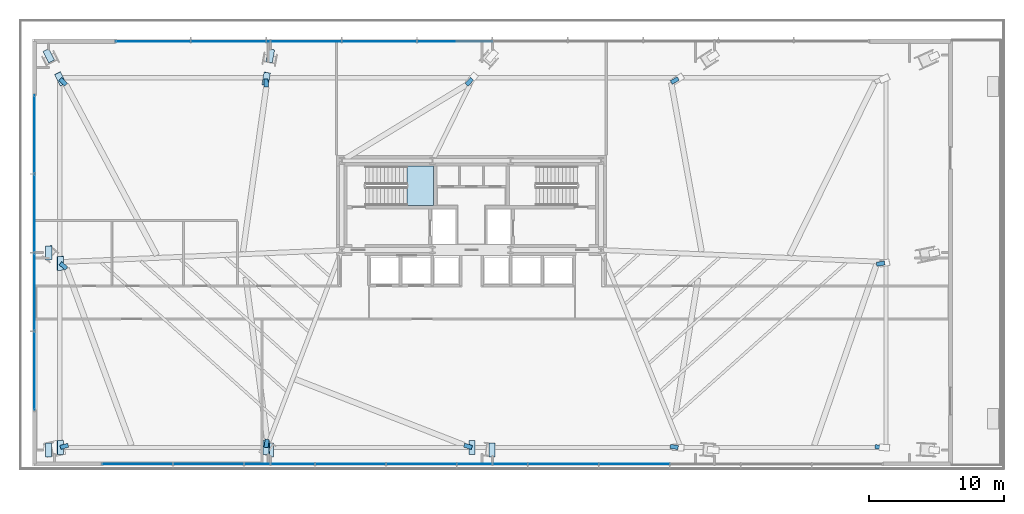
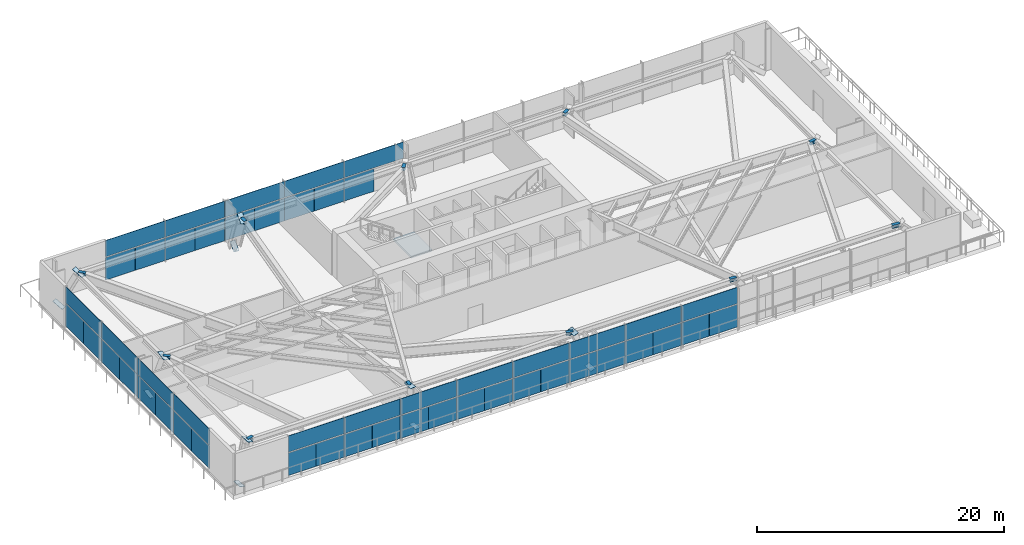
# One storey, part 20 of 30: 62 plates, 11 beams, 1 slab, 4 elements without a shape of their own.
"""IFC4 building model written with IfcOpenShell, lengths in metres."""

from ifc_helpers import new_model, si_unit, direction, frame, origin, origin_2d, place, context, subcontext, project, spatial, polyline, rectangle, i_section, outline, extrude, source, transform, mapped, material, layer, layer_set, material_profile, profile_set, type_object, type_shapes, element, aggregate, save


model = new_model("IFC4")

# Units and contexts
model_context = context("Model", 3, precision=1e-05, world=origin(), true_north=direction((0.0, 1.0)))
body_context = subcontext(model_context, "Body", "Model", "MODEL_VIEW")
ifc_project = project(units=[si_unit("LENGTHUNIT", "METRE"), si_unit("AREAUNIT", "SQUARE_METRE"), si_unit("VOLUMEUNIT", "CUBIC_METRE"), si_unit("PLANEANGLEUNIT", "RADIAN"), si_unit("MASSUNIT", "GRAM", prefix="KILO")], contexts=[model_context])

# Site, building, storey
site_placement = place(None, origin())
site = spatial("IfcSite", under=ifc_project, at=site_placement, CompositionType="ELEMENT")
building_placement = place(site_placement, origin())
building = spatial("IfcBuilding", under=site, at=building_placement, Name="Astriad Promenade Condominiums", CompositionType="ELEMENT")
storey_placement = place(building_placement, frame((0.0, 0.0, 14.0)))
storey = spatial("IfcBuildingStorey", under=building, at=storey_placement, Name="L03", CompositionType="ELEMENT", Elevation=14.0)

# Beams
ifc_material_1 = material(Name="Steel ASTM A992 Grade 50", Category="steel")
ifc_material_profile = material_profile(ifc_material_1, i_section(OverallWidth=0.3046875, OverallDepth=0.307861328125, WebThickness=0.010009765625, FlangeThickness=0.015380859375, FilletRadius=0.01513671875, at=origin_2d()), Name="W12X65")
ifc_profile_set = profile_set([ifc_material_profile], Name="Steel ASTM A992 Grade 50")
beam_type = type_object("IfcBeamType", Name="STEEL TRANSFER SPLICE HEADER W12X65", PredefinedType="LINTEL", material=ifc_profile_set)
shared_shape_1 = source(origin(), body_context, "Body", "SweptSolid", [
    extrude(i_section(OverallWidth=0.3046875, OverallDepth=0.307861328125, WebThickness=0.010009765625, FlangeThickness=0.015380859375, FilletRadius=0.01513671875, at=origin_2d()), origin(), (0.0, 0.0, 1.0), 0.6015625),
])
for number, where, z_axis, x_axis, name in (
    (1, (5.566650390625, 2.777099609375, 3.926025390625), (0.962210058488, 0.272308287324, 0.0), (-0.272308287324, 0.962210058488, 0.0), "Column Transfer Splice Header SPL-PC01-L03"),
    (2, (20.79248046875, 2.7783203125, 3.926025390625), (0.13431639746, 0.990938497271, 0.0), (-0.990938497271, 0.13431639746, 0.0), "Column Transfer Splice Header SPL-PC02-L03"),
    (3, (51.302001953125, 2.7734375, 3.926025390625), (-0.989860010098, 0.142046331912, 0.0), (-0.142046331912, -0.989860010098, 0.0), "Column Transfer Splice Header SPL-PC04-L03"),
    (4, (5.555908203125, 30.068115234375, 3.926025390625), (0.6898578035, -0.723944894968, 0.0), (0.723944894968, 0.6898578035, 0.0), "Column Transfer Splice Header SPL-PC06-L03"),
    (5, (20.798095703125, 30.064697265625, 3.926025390625), (0.020702017947, -0.999785690262, 0.0), (0.999785690262, 0.020702017947, 0.0), "Column Transfer Splice Header SPL-PC07-L03"),
    (6, (36.04638671875, 30.07373046875, 3.926025390625), (-0.66921133095, -0.743072132789, 0.0), (0.743072132789, -0.66921133095, 0.0), "Column Transfer Splice Header SPL-PC08-L03"),
    (7, (51.311767578125, 30.0859375, 3.926025390625), (-0.875855761384, -0.482572984377, 0.0), (0.482572984377, -0.875855761384, 0.0), "Column Transfer Splice Header SPL-PC09-L03"),
    (8, (5.563720703125, 16.41455078125, 3.926025390625), (0.761829148825, -0.647778008271, 0.0), (0.647778008271, 0.761829148825, 0.0), "Column Transfer Splice Header SPL-PC11-L03"),
    (9, (66.583251953125, 16.4326171875, 3.926025390625), (-0.986393923832, -0.164398987305, 0.0), (0.164398987305, -0.986393923832, 0.0), "Column Transfer Splice Header SPL-PC12-L03"),
):
    element("IfcBeam", number, at=place(storey_placement, frame(where, z_axis=z_axis, x_axis=x_axis)), inside=storey, type_object=beam_type, Name=name, PredefinedType="LINTEL", context=body_context, shape_type="MappedRepresentation", body=[
        mapped(shared_shape_1, transform((0.0, 0.0, 0.0), scale=1.0)),
    ])
shared_shape_2 = source(origin(), body_context, "Body", "SweptSolid", [
    extrude(i_section(OverallWidth=0.3046875, OverallDepth=0.307861328125, WebThickness=0.010009765625, FlangeThickness=0.015380859375, FilletRadius=0.01513671875, at=origin_2d()), origin(), (0.0, 0.0, 1.0), 0.601318359375),
])
beam_1_placement = place(storey_placement, frame((36.0341796875, 2.775634765625, 3.926025390625), z_axis=(-0.958892256456, 0.283770401043, 0.0), x_axis=(-0.283770401043, -0.958892256456, 0.0)))
element("IfcBeam", 10, at=beam_1_placement, inside=storey, type_object=beam_type, Name="Column Transfer Splice Header SPL-PC03-L03", PredefinedType="LINTEL", context=body_context, shape_type="MappedRepresentation", body=[
    mapped(shared_shape_2, transform((0.0, 0.0, 0.0), scale=1.0)),
])
shared_shape_3 = source(origin(), body_context, "Body", "SweptSolid", [
    extrude(i_section(OverallWidth=0.3046875, OverallDepth=0.307861328125, WebThickness=0.010009765625, FlangeThickness=0.015380859375, FilletRadius=0.01513671875, at=origin_2d()), origin(), (0.0, 0.0, 1.0), 0.704345703125),
])
type_shapes(beam_type, [shared_shape_1, shared_shape_2, shared_shape_3])
beam_2_placement = place(storey_placement, frame((66.58203125, 2.77197265625, 3.926025390625), z_axis=(-0.995610030472, 0.093598436012, 0.0), x_axis=(-0.093598436012, -0.995610030472, 0.0)))
element("IfcBeam", 11, at=beam_2_placement, inside=storey, type_object=beam_type, Name="Column Transfer Splice Header SPL-PC05-L03", PredefinedType="LINTEL", context=body_context, shape_type="MappedRepresentation", body=[
    mapped(shared_shape_3, transform((0.0, 0.0, 0.0), scale=1.0)),
])

# Stair, slab
ifc_material_2 = material(Name="Concrete C50/60", Category="concrete")
stair_type = type_object("IfcStairType", Name="STR-CORE-1350", PredefinedType="HALF_TURN_STAIR", material=ifc_material_2)
stair_placement = place(storey_placement, origin())
stair = element("IfcStair", 12, at=stair_placement, inside=storey, type_object=stair_type, Name="L03 Enclosed Core Exit Stair ST-1", PredefinedType="HALF_TURN_STAIR")
ifc_layer_1 = layer(ifc_material_2, 0.219970703125)
ifc_layer_set_1 = layer_set([ifc_layer_1], Name="Concrete C50/60")
slab_type = type_object("IfcSlabType", Name="SLB-LANDING-220", PredefinedType="LANDING", material=ifc_layer_set_1)
slab_placement = place(storey_placement, frame((0.0, 0.0, 2.050048828125)))
slab = element("IfcSlab", 13, at=slab_placement, type_object=slab_type, Name="ST-1 landing 1", PredefinedType="LANDING", context=body_context, shape_type="SweptSolid", body=[
    extrude(outline(polyline([(31.22998046875, 20.699951171875), (33.199951171875, 20.699951171875), (33.199951171875, 23.60009765625), (31.22998046875, 23.60009765625), (31.22998046875, 20.699951171875)])), origin(), (0.0, 0.0, 1.0), 0.199951171875),
])
aggregate(stair, [slab])

# Plates
ifc_material_3 = material(Name="Steel ASTM A572 Grade 50", Category="steel")
ifc_layer_2 = layer(ifc_material_3, 0.02490234375)
ifc_layer_set_2 = layer_set([ifc_layer_2], Name="Steel ASTM A572 Grade 50")
plate_type_1 = type_object("IfcPlateType", Name="STEEL HOLLOW SECTION END CAP PLATE 30", PredefinedType="USERDEFINED", material=ifc_layer_set_2)
shared_shape_4 = source(origin(), body_context, "Body", "SweptSolid", [
    extrude(rectangle(XDim=0.477294921875, YDim=1.05126953125, at=origin_2d()), origin(), (0.0, 0.0, 1.0), 0.02490234375),
])
type_shapes(plate_type_1, [shared_shape_4])
for number, where, z_axis, x_axis, name in (
    (14, (4.68798828125, 2.58203125, 0.035888671875), (0.215153855979, 0.047790070995, 0.975410132904), (1.0, 0.0, 0.0), "Hollow Section End Cap Plate COL-PC01-L03-A"),
    (15, (5.566650390625, 2.777099609375, 4.019775390625), (0.215153855979, 0.047790070995, 0.975410132904), (1.0, 0.0, 0.0), "Hollow Section End Cap Plate COL-PC01-L03-B"),
    (16, (21.1142578125, 2.58056640625, 0.007568359375), (-0.079301309029, 0.048800805018, 0.99565545437), (1.0, 0.0, 0.0), "Hollow Section End Cap Plate COL-PC02-L03-A"),
    (17, (20.79248046875, 2.778564453125, 4.047607421875), (-0.079301309029, 0.048800805018, 0.99565545437), (1.0, 0.0, 0.0), "Hollow Section End Cap Plate COL-PC02-L03-B"),
    (18, (37.5244140625, 2.583251953125, 0.06689453125), (-0.354751473972, 0.045786742996, 0.933838832926), (1.0, 0.0, 0.0), "Hollow Section End Cap Plate COL-PC03-L03-A"),
    (19, (36.0341796875, 2.775634765625, 3.98974609375), (-0.354751473972, 0.045786742996, 0.933838832926), (1.0, 0.0, 0.0), "Hollow Section End Cap Plate COL-PC03-L03-B"),
    (20, (4.698974609375, 31.78173828125, 0.08642578125), (0.197831345, -0.395662691, 0.896835433001), (0.894427191452, 0.447213594596, 0.0), "Hollow Section End Cap Plate COL-PC06-L03-A"),
    (21, (5.55615234375, 30.06787109375, 3.97119140625), (0.197831345, -0.395662691, 0.896835433001), (0.894427191452, 0.447213594596, 0.0), "Hollow Section End Cap Plate COL-PC06-L03-B"),
    (22, (21.10888671875, 31.785400390625, 0.07861328125), (-0.072680043022, -0.402564590121, 0.912501705274), (0.98409009663, -0.177670148631, 0.0), "Hollow Section End Cap Plate COL-PC07-L03-A"),
    (23, (20.798095703125, 30.06494140625, 3.978515625), (-0.072680043022, -0.402564590121, 0.912501705274), (0.98409009663, -0.177670148631, 0.0), "Hollow Section End Cap Plate COL-PC07-L03-B"),
    (24, (4.69091796875, 17.1904296875, 0.050048828125), (0.211567139026, -0.188054259023, 0.959101111118), (1.0, 0.0, 0.0), "Hollow Section End Cap Plate COL-PC11-L03-A"),
    (25, (5.563720703125, 16.41455078125, 4.006103515625), (0.211567139026, -0.188054259023, 0.959101111118), (1.0, 0.0, 0.0), "Hollow Section End Cap Plate COL-PC11-L03-B"),
):
    element("IfcPlate", number, at=place(storey_placement, frame(where, z_axis=z_axis, x_axis=x_axis)), inside=storey, type_object=plate_type_1, Name=name, ObjectType="STIFFENER_PLATE", PredefinedType="USERDEFINED", context=body_context, shape_type="MappedRepresentation", body=[
        mapped(shared_shape_4, transform((0.0, 0.0, 0.0), scale=1.0)),
    ])

# Curtain wall, plates
ifc_material_4 = material(Name="Anodised aluminium Black Dark Glass Unitised", Category="aluminium")
curtain_wall_type = type_object("IfcCurtainWallType", Name="CW-POD-DARK", PredefinedType="USERDEFINED", material=ifc_material_4)
curtain_wall_1_placement = place(storey_placement, origin())
curtain_wall_1 = element("IfcCurtainWall", 26, at=curtain_wall_1_placement, inside=storey, type_object=curtain_wall_type, Name="CW-L03-W", ObjectType="UNITISED_CURTAIN_WALL", PredefinedType="USERDEFINED")
ifc_material_5 = material(Name="Dark Tinted Low-E Laminated Glass", Category="glass")
ifc_layer_3 = layer(ifc_material_5, 0.035888671875)
ifc_layer_set_3 = layer_set([ifc_layer_3], Name="Dark Tinted Low-E Laminated Glass")
plate_type_2 = type_object("IfcPlateType", Name="PNL-DARK-GLASS-36", PredefinedType="CURTAIN_PANEL", material=ifc_layer_set_3)
shared_shape_5 = source(origin(), body_context, "Body", "SweptSolid", [
    extrude(rectangle(XDim=2.900390625, YDim=0.035888671875, at=origin_2d()), origin(), (0.0, 0.0, 1.0), 2.22998046875),
])
plate_1_placement = place(storey_placement, frame((3.64990234375, 7.006103515625, 0.080078125), z_axis=(0.0, 0.0, 1.0), x_axis=(0.0, 1.0, 0.0)))
plate_1 = element("IfcPlate", 27, at=plate_1_placement, type_object=plate_type_2, Name="CW-L03-W-PNL-00-VL", PredefinedType="CURTAIN_PANEL", context=body_context, shape_type="MappedRepresentation", body=[
    mapped(shared_shape_5, transform((0.0, 0.0, 0.0), scale=1.0)),
])
plate_2_placement = place(storey_placement, frame((3.64990234375, 9.918701171875, 0.080078125), z_axis=(0.0, 0.0, 1.0), x_axis=(0.0, 1.0, 0.0)))
plate_2 = element("IfcPlate", 28, at=plate_2_placement, type_object=plate_type_2, Name="CW-L03-W-PNL-00-VR", PredefinedType="CURTAIN_PANEL", context=body_context, shape_type="MappedRepresentation", body=[
    mapped(shared_shape_5, transform((0.0, 0.0, 0.0), scale=1.0)),
])
plate_3_placement = place(storey_placement, frame((3.64990234375, 12.831298828125, 0.080078125), z_axis=(0.0, 0.0, 1.0), x_axis=(0.0, 1.0, 0.0)))
plate_3 = element("IfcPlate", 29, at=plate_3_placement, type_object=plate_type_2, Name="CW-L03-W-PNL-01-VL", PredefinedType="CURTAIN_PANEL", context=body_context, shape_type="MappedRepresentation", body=[
    mapped(shared_shape_5, transform((0.0, 0.0, 0.0), scale=1.0)),
])
plate_4_placement = place(storey_placement, frame((3.64990234375, 15.74365234375, 0.080078125), z_axis=(0.0, 0.0, 1.0), x_axis=(0.0, 1.0, 0.0)))
plate_4 = element("IfcPlate", 30, at=plate_4_placement, type_object=plate_type_2, Name="CW-L03-W-PNL-01-VR", PredefinedType="CURTAIN_PANEL", context=body_context, shape_type="MappedRepresentation", body=[
    mapped(shared_shape_5, transform((0.0, 0.0, 0.0), scale=1.0)),
])
plate_5_placement = place(storey_placement, frame((3.64990234375, 18.65625, 0.080078125), z_axis=(0.0, 0.0, 1.0), x_axis=(0.0, 1.0, 0.0)))
plate_5 = element("IfcPlate", 31, at=plate_5_placement, type_object=plate_type_2, Name="CW-L03-W-PNL-02-VL", PredefinedType="CURTAIN_PANEL", context=body_context, shape_type="MappedRepresentation", body=[
    mapped(shared_shape_5, transform((0.0, 0.0, 0.0), scale=1.0)),
])
plate_6_placement = place(storey_placement, frame((3.64990234375, 21.568603515625, 0.080078125), z_axis=(0.0, 0.0, 1.0), x_axis=(0.0, 1.0, 0.0)))
plate_6 = element("IfcPlate", 32, at=plate_6_placement, type_object=plate_type_2, Name="CW-L03-W-PNL-02-VR", PredefinedType="CURTAIN_PANEL", context=body_context, shape_type="MappedRepresentation", body=[
    mapped(shared_shape_5, transform((0.0, 0.0, 0.0), scale=1.0)),
])
plate_7_placement = place(storey_placement, frame((3.64990234375, 24.481201171875, 0.080078125), z_axis=(0.0, 0.0, 1.0), x_axis=(0.0, 1.0, 0.0)))
plate_7 = element("IfcPlate", 33, at=plate_7_placement, type_object=plate_type_2, Name="CW-L03-W-PNL-03-VL", PredefinedType="CURTAIN_PANEL", context=body_context, shape_type="MappedRepresentation", body=[
    mapped(shared_shape_5, transform((0.0, 0.0, 0.0), scale=1.0)),
])
plate_8_placement = place(storey_placement, frame((3.64990234375, 27.393798828125, 0.080078125), z_axis=(0.0, 0.0, 1.0), x_axis=(0.0, 1.0, 0.0)))
plate_8 = element("IfcPlate", 34, at=plate_8_placement, type_object=plate_type_2, Name="CW-L03-W-PNL-03-VR", PredefinedType="CURTAIN_PANEL", context=body_context, shape_type="MappedRepresentation", body=[
    mapped(shared_shape_5, transform((0.0, 0.0, 0.0), scale=1.0)),
])
shared_shape_6 = source(origin(), body_context, "Body", "SweptSolid", [
    extrude(rectangle(XDim=5.81298828125, YDim=0.035888671875, at=origin_2d()), origin(), (0.0, 0.0, 1.0), 1.610107421875),
])
plate_9_placement = place(storey_placement, frame((3.64990234375, 8.46240234375, 2.39013671875), z_axis=(0.0, 0.0, 1.0), x_axis=(0.0, 1.0, 0.0)))
plate_9 = element("IfcPlate", 35, at=plate_9_placement, type_object=plate_type_2, Name="CW-L03-W-PNL-00-S", PredefinedType="CURTAIN_PANEL", context=body_context, shape_type="MappedRepresentation", body=[
    mapped(shared_shape_6, transform((0.0, 0.0, 0.0), scale=1.0)),
])
plate_10_placement = place(storey_placement, frame((3.64990234375, 14.28759765625, 2.39013671875), z_axis=(0.0, 0.0, 1.0), x_axis=(0.0, 1.0, 0.0)))
plate_10 = element("IfcPlate", 36, at=plate_10_placement, type_object=plate_type_2, Name="CW-L03-W-PNL-01-S", PredefinedType="CURTAIN_PANEL", context=body_context, shape_type="MappedRepresentation", body=[
    mapped(shared_shape_6, transform((0.0, 0.0, 0.0), scale=1.0)),
])
plate_11_placement = place(storey_placement, frame((3.64990234375, 20.112548828125, 2.39013671875), z_axis=(0.0, 0.0, 1.0), x_axis=(0.0, 1.0, 0.0)))
plate_11 = element("IfcPlate", 37, at=plate_11_placement, type_object=plate_type_2, Name="CW-L03-W-PNL-02-S", PredefinedType="CURTAIN_PANEL", context=body_context, shape_type="MappedRepresentation", body=[
    mapped(shared_shape_6, transform((0.0, 0.0, 0.0), scale=1.0)),
])
plate_12_placement = place(storey_placement, frame((3.64990234375, 25.9375, 2.39013671875), z_axis=(0.0, 0.0, 1.0), x_axis=(0.0, 1.0, 0.0)))
plate_12 = element("IfcPlate", 38, at=plate_12_placement, type_object=plate_type_2, Name="CW-L03-W-PNL-03-S", PredefinedType="CURTAIN_PANEL", context=body_context, shape_type="MappedRepresentation", body=[
    mapped(shared_shape_6, transform((0.0, 0.0, 0.0), scale=1.0)),
])
aggregate(curtain_wall_1, [plate_1, plate_2, plate_9, plate_3, plate_4, plate_10, plate_5, plate_6, plate_11, plate_7, plate_8, plate_12])

curtain_wall_2_placement = place(storey_placement, origin())
curtain_wall_2 = element("IfcCurtainWall", 39, at=curtain_wall_2_placement, inside=storey, type_object=curtain_wall_type, Name="CW-L03-N", ObjectType="UNITISED_CURTAIN_WALL", PredefinedType="USERDEFINED")
shared_shape_7 = source(origin(), body_context, "Body", "SweptSolid", [
    extrude(rectangle(XDim=2.778076171875, YDim=0.035888671875, at=origin_2d()), origin(), (0.0, 0.0, 1.0), 2.22998046875),
])
plate_13_placement = place(storey_placement, frame((11.044921875, 32.85009765625, 0.080078125), z_axis=(0.0, 0.0, 1.0), x_axis=(1.0, 0.0, 0.0)))
plate_13 = element("IfcPlate", 40, at=plate_13_placement, type_object=plate_type_2, Name="CW-L03-N-PNL-00-VL", PredefinedType="CURTAIN_PANEL", context=body_context, shape_type="MappedRepresentation", body=[
    mapped(shared_shape_7, transform((0.0, 0.0, 0.0), scale=1.0)),
])
plate_14_placement = place(storey_placement, frame((13.8349609375, 32.85009765625, 0.080078125), z_axis=(0.0, 0.0, 1.0), x_axis=(1.0, 0.0, 0.0)))
plate_14 = element("IfcPlate", 41, at=plate_14_placement, type_object=plate_type_2, Name="CW-L03-N-PNL-00-VR", PredefinedType="CURTAIN_PANEL", context=body_context, shape_type="MappedRepresentation", body=[
    mapped(shared_shape_7, transform((0.0, 0.0, 0.0), scale=1.0)),
])
plate_15_placement = place(storey_placement, frame((16.625, 32.85009765625, 0.080078125), z_axis=(0.0, 0.0, 1.0), x_axis=(1.0, 0.0, 0.0)))
plate_15 = element("IfcPlate", 42, at=plate_15_placement, type_object=plate_type_2, Name="CW-L03-N-PNL-01-VL", PredefinedType="CURTAIN_PANEL", context=body_context, shape_type="MappedRepresentation", body=[
    mapped(shared_shape_7, transform((0.0, 0.0, 0.0), scale=1.0)),
])
plate_16_placement = place(storey_placement, frame((19.4150390625, 32.85009765625, 0.080078125), z_axis=(0.0, 0.0, 1.0), x_axis=(1.0, 0.0, 0.0)))
plate_16 = element("IfcPlate", 43, at=plate_16_placement, type_object=plate_type_2, Name="CW-L03-N-PNL-01-VR", PredefinedType="CURTAIN_PANEL", context=body_context, shape_type="MappedRepresentation", body=[
    mapped(shared_shape_7, transform((0.0, 0.0, 0.0), scale=1.0)),
])
plate_17_placement = place(storey_placement, frame((22.205078125, 32.85009765625, 0.080078125), z_axis=(0.0, 0.0, 1.0), x_axis=(1.0, 0.0, 0.0)))
plate_17 = element("IfcPlate", 44, at=plate_17_placement, type_object=plate_type_2, Name="CW-L03-N-PNL-02-VL", PredefinedType="CURTAIN_PANEL", context=body_context, shape_type="MappedRepresentation", body=[
    mapped(shared_shape_7, transform((0.0, 0.0, 0.0), scale=1.0)),
])
plate_18_placement = place(storey_placement, frame((24.9951171875, 32.85009765625, 0.080078125), z_axis=(0.0, 0.0, 1.0), x_axis=(1.0, 0.0, 0.0)))
plate_18 = element("IfcPlate", 45, at=plate_18_placement, type_object=plate_type_2, Name="CW-L03-N-PNL-02-VR", PredefinedType="CURTAIN_PANEL", context=body_context, shape_type="MappedRepresentation", body=[
    mapped(shared_shape_7, transform((0.0, 0.0, 0.0), scale=1.0)),
])
plate_19_placement = place(storey_placement, frame((27.784912109375, 32.85009765625, 0.080078125), z_axis=(0.0, 0.0, 1.0), x_axis=(1.0, 0.0, 0.0)))
plate_19 = element("IfcPlate", 46, at=plate_19_placement, type_object=plate_type_2, Name="CW-L03-N-PNL-03-VL", PredefinedType="CURTAIN_PANEL", context=body_context, shape_type="MappedRepresentation", body=[
    mapped(shared_shape_7, transform((0.0, 0.0, 0.0), scale=1.0)),
])
plate_20_placement = place(storey_placement, frame((30.574951171875, 32.85009765625, 0.080078125), z_axis=(0.0, 0.0, 1.0), x_axis=(1.0, 0.0, 0.0)))
plate_20 = element("IfcPlate", 47, at=plate_20_placement, type_object=plate_type_2, Name="CW-L03-N-PNL-03-VR", PredefinedType="CURTAIN_PANEL", context=body_context, shape_type="MappedRepresentation", body=[
    mapped(shared_shape_7, transform((0.0, 0.0, 0.0), scale=1.0)),
])
plate_21_placement = place(storey_placement, frame((33.364990234375, 32.85009765625, 0.080078125), z_axis=(0.0, 0.0, 1.0), x_axis=(1.0, 0.0, 0.0)))
plate_21 = element("IfcPlate", 48, at=plate_21_placement, type_object=plate_type_2, Name="CW-L03-N-PNL-04-VL", PredefinedType="CURTAIN_PANEL", context=body_context, shape_type="MappedRepresentation", body=[
    mapped(shared_shape_7, transform((0.0, 0.0, 0.0), scale=1.0)),
])
shared_shape_8 = source(origin(), body_context, "Body", "SweptSolid", [
    extrude(rectangle(XDim=5.568115234375, YDim=0.035888671875, at=origin_2d()), origin(), (0.0, 0.0, 1.0), 1.610107421875),
])
plate_22_placement = place(storey_placement, frame((12.43994140625, 32.85009765625, 2.39013671875), z_axis=(0.0, 0.0, 1.0), x_axis=(1.0, 0.0, 0.0)))
plate_22 = element("IfcPlate", 49, at=plate_22_placement, type_object=plate_type_2, Name="CW-L03-N-PNL-00-S", PredefinedType="CURTAIN_PANEL", context=body_context, shape_type="MappedRepresentation", body=[
    mapped(shared_shape_8, transform((0.0, 0.0, 0.0), scale=1.0)),
])
plate_23_placement = place(storey_placement, frame((18.02001953125, 32.85009765625, 2.39013671875), z_axis=(0.0, 0.0, 1.0), x_axis=(1.0, 0.0, 0.0)))
plate_23 = element("IfcPlate", 50, at=plate_23_placement, type_object=plate_type_2, Name="CW-L03-N-PNL-01-S", PredefinedType="CURTAIN_PANEL", context=body_context, shape_type="MappedRepresentation", body=[
    mapped(shared_shape_8, transform((0.0, 0.0, 0.0), scale=1.0)),
])
plate_24_placement = place(storey_placement, frame((23.60009765625, 32.85009765625, 2.39013671875), z_axis=(0.0, 0.0, 1.0), x_axis=(1.0, 0.0, 0.0)))
plate_24 = element("IfcPlate", 51, at=plate_24_placement, type_object=plate_type_2, Name="CW-L03-N-PNL-02-S", PredefinedType="CURTAIN_PANEL", context=body_context, shape_type="MappedRepresentation", body=[
    mapped(shared_shape_8, transform((0.0, 0.0, 0.0), scale=1.0)),
])
plate_25_placement = place(storey_placement, frame((29.179931640625, 32.85009765625, 2.39013671875), z_axis=(0.0, 0.0, 1.0), x_axis=(1.0, 0.0, 0.0)))
plate_25 = element("IfcPlate", 52, at=plate_25_placement, type_object=plate_type_2, Name="CW-L03-N-PNL-03-S", PredefinedType="CURTAIN_PANEL", context=body_context, shape_type="MappedRepresentation", body=[
    mapped(shared_shape_8, transform((0.0, 0.0, 0.0), scale=1.0)),
])
plate_26_placement = place(storey_placement, frame((34.760009765625, 32.85009765625, 2.39013671875), z_axis=(0.0, 0.0, 1.0), x_axis=(1.0, 0.0, 0.0)))
plate_26 = element("IfcPlate", 53, at=plate_26_placement, type_object=plate_type_2, Name="CW-L03-N-PNL-04-S", PredefinedType="CURTAIN_PANEL", context=body_context, shape_type="MappedRepresentation", body=[
    mapped(shared_shape_8, transform((0.0, 0.0, 0.0), scale=1.0)),
])
aggregate(curtain_wall_2, [plate_13, plate_14, plate_22, plate_15, plate_16, plate_23, plate_17, plate_18, plate_24, plate_19, plate_20, plate_25, plate_21, plate_26])

curtain_wall_3_placement = place(storey_placement, origin())
curtain_wall_3 = element("IfcCurtainWall", 54, at=curtain_wall_3_placement, inside=storey, type_object=curtain_wall_type, Name="CW-L03-S", ObjectType="UNITISED_CURTAIN_WALL", PredefinedType="USERDEFINED")
shared_shape_9 = source(origin(), body_context, "Body", "SweptSolid", [
    extrude(rectangle(XDim=2.615234375, YDim=0.035888671875, at=origin_2d()), origin(), (0.0, 0.0, 1.0), 2.22998046875),
])
plate_27_placement = place(storey_placement, frame((49.372802734375, 1.550048828125, 0.080078125), z_axis=(0.0, 0.0, 1.0), x_axis=(-1.0, 0.0, 0.0)))
plate_27 = element("IfcPlate", 55, at=plate_27_placement, type_object=plate_type_2, Name="CW-L03-S-PNL-03-VL", PredefinedType="CURTAIN_PANEL", context=body_context, shape_type="MappedRepresentation", body=[
    mapped(shared_shape_9, transform((0.0, 0.0, 0.0), scale=1.0)),
])
plate_28_placement = place(storey_placement, frame((46.74560546875, 1.550048828125, 0.080078125), z_axis=(0.0, 0.0, 1.0), x_axis=(-1.0, 0.0, 0.0)))
plate_28 = element("IfcPlate", 56, at=plate_28_placement, type_object=plate_type_2, Name="CW-L03-S-PNL-03-VR", PredefinedType="CURTAIN_PANEL", context=body_context, shape_type="MappedRepresentation", body=[
    mapped(shared_shape_9, transform((0.0, 0.0, 0.0), scale=1.0)),
])
plate_29_placement = place(storey_placement, frame((44.1181640625, 1.550048828125, 0.080078125), z_axis=(0.0, 0.0, 1.0), x_axis=(-1.0, 0.0, 0.0)))
plate_29 = element("IfcPlate", 57, at=plate_29_placement, type_object=plate_type_2, Name="CW-L03-S-PNL-04-VL", PredefinedType="CURTAIN_PANEL", context=body_context, shape_type="MappedRepresentation", body=[
    mapped(shared_shape_9, transform((0.0, 0.0, 0.0), scale=1.0)),
])
plate_30_placement = place(storey_placement, frame((41.490966796875, 1.550048828125, 0.080078125), z_axis=(0.0, 0.0, 1.0), x_axis=(-1.0, 0.0, 0.0)))
plate_30 = element("IfcPlate", 58, at=plate_30_placement, type_object=plate_type_2, Name="CW-L03-S-PNL-04-VR", PredefinedType="CURTAIN_PANEL", context=body_context, shape_type="MappedRepresentation", body=[
    mapped(shared_shape_9, transform((0.0, 0.0, 0.0), scale=1.0)),
])
plate_31_placement = place(storey_placement, frame((38.863525390625, 1.550048828125, 0.080078125), z_axis=(0.0, 0.0, 1.0), x_axis=(-1.0, 0.0, 0.0)))
plate_31 = element("IfcPlate", 59, at=plate_31_placement, type_object=plate_type_2, Name="CW-L03-S-PNL-05-VL", PredefinedType="CURTAIN_PANEL", context=body_context, shape_type="MappedRepresentation", body=[
    mapped(shared_shape_9, transform((0.0, 0.0, 0.0), scale=1.0)),
])
plate_32_placement = place(storey_placement, frame((36.236328125, 1.550048828125, 0.080078125), z_axis=(0.0, 0.0, 1.0), x_axis=(-1.0, 0.0, 0.0)))
plate_32 = element("IfcPlate", 60, at=plate_32_placement, type_object=plate_type_2, Name="CW-L03-S-PNL-05-VR", PredefinedType="CURTAIN_PANEL", context=body_context, shape_type="MappedRepresentation", body=[
    mapped(shared_shape_9, transform((0.0, 0.0, 0.0), scale=1.0)),
])
plate_33_placement = place(storey_placement, frame((33.609130859375, 1.550048828125, 0.080078125), z_axis=(0.0, 0.0, 1.0), x_axis=(-1.0, 0.0, 0.0)))
plate_33 = element("IfcPlate", 61, at=plate_33_placement, type_object=plate_type_2, Name="CW-L03-S-PNL-06-VL", PredefinedType="CURTAIN_PANEL", context=body_context, shape_type="MappedRepresentation", body=[
    mapped(shared_shape_9, transform((0.0, 0.0, 0.0), scale=1.0)),
])
plate_34_placement = place(storey_placement, frame((30.981689453125, 1.550048828125, 0.080078125), z_axis=(0.0, 0.0, 1.0), x_axis=(-1.0, 0.0, 0.0)))
plate_34 = element("IfcPlate", 62, at=plate_34_placement, type_object=plate_type_2, Name="CW-L03-S-PNL-06-VR", PredefinedType="CURTAIN_PANEL", context=body_context, shape_type="MappedRepresentation", body=[
    mapped(shared_shape_9, transform((0.0, 0.0, 0.0), scale=1.0)),
])
plate_35_placement = place(storey_placement, frame((28.3544921875, 1.550048828125, 0.080078125), z_axis=(0.0, 0.0, 1.0), x_axis=(-1.0, 0.0, 0.0)))
plate_35 = element("IfcPlate", 63, at=plate_35_placement, type_object=plate_type_2, Name="CW-L03-S-PNL-07-VL", PredefinedType="CURTAIN_PANEL", context=body_context, shape_type="MappedRepresentation", body=[
    mapped(shared_shape_9, transform((0.0, 0.0, 0.0), scale=1.0)),
])
plate_36_placement = place(storey_placement, frame((25.727294921875, 1.550048828125, 0.080078125), z_axis=(0.0, 0.0, 1.0), x_axis=(-1.0, 0.0, 0.0)))
plate_36 = element("IfcPlate", 64, at=plate_36_placement, type_object=plate_type_2, Name="CW-L03-S-PNL-07-VR", PredefinedType="CURTAIN_PANEL", context=body_context, shape_type="MappedRepresentation", body=[
    mapped(shared_shape_9, transform((0.0, 0.0, 0.0), scale=1.0)),
])
plate_37_placement = place(storey_placement, frame((23.10009765625, 1.550048828125, 0.080078125), z_axis=(0.0, 0.0, 1.0), x_axis=(-1.0, 0.0, 0.0)))
plate_37 = element("IfcPlate", 65, at=plate_37_placement, type_object=plate_type_2, Name="CW-L03-S-PNL-08-VL", PredefinedType="CURTAIN_PANEL", context=body_context, shape_type="MappedRepresentation", body=[
    mapped(shared_shape_9, transform((0.0, 0.0, 0.0), scale=1.0)),
])
plate_38_placement = place(storey_placement, frame((20.47265625, 1.550048828125, 0.080078125), z_axis=(0.0, 0.0, 1.0), x_axis=(-1.0, 0.0, 0.0)))
plate_38 = element("IfcPlate", 66, at=plate_38_placement, type_object=plate_type_2, Name="CW-L03-S-PNL-08-VR", PredefinedType="CURTAIN_PANEL", context=body_context, shape_type="MappedRepresentation", body=[
    mapped(shared_shape_9, transform((0.0, 0.0, 0.0), scale=1.0)),
])
plate_39_placement = place(storey_placement, frame((17.845458984375, 1.550048828125, 0.080078125), z_axis=(0.0, 0.0, 1.0), x_axis=(-1.0, 0.0, 0.0)))
plate_39 = element("IfcPlate", 67, at=plate_39_placement, type_object=plate_type_2, Name="CW-L03-S-PNL-09-VL", PredefinedType="CURTAIN_PANEL", context=body_context, shape_type="MappedRepresentation", body=[
    mapped(shared_shape_9, transform((0.0, 0.0, 0.0), scale=1.0)),
])
plate_40_placement = place(storey_placement, frame((15.218017578125, 1.550048828125, 0.080078125), z_axis=(0.0, 0.0, 1.0), x_axis=(-1.0, 0.0, 0.0)))
plate_40 = element("IfcPlate", 68, at=plate_40_placement, type_object=plate_type_2, Name="CW-L03-S-PNL-09-VR", PredefinedType="CURTAIN_PANEL", context=body_context, shape_type="MappedRepresentation", body=[
    mapped(shared_shape_9, transform((0.0, 0.0, 0.0), scale=1.0)),
])
plate_41_placement = place(storey_placement, frame((12.5908203125, 1.550048828125, 0.080078125), z_axis=(0.0, 0.0, 1.0), x_axis=(-1.0, 0.0, 0.0)))
plate_41 = element("IfcPlate", 69, at=plate_41_placement, type_object=plate_type_2, Name="CW-L03-S-PNL-10-VL", PredefinedType="CURTAIN_PANEL", context=body_context, shape_type="MappedRepresentation", body=[
    mapped(shared_shape_9, transform((0.0, 0.0, 0.0), scale=1.0)),
])
plate_42_placement = place(storey_placement, frame((9.963623046875, 1.550048828125, 0.080078125), z_axis=(0.0, 0.0, 1.0), x_axis=(-1.0, 0.0, 0.0)))
plate_42 = element("IfcPlate", 70, at=plate_42_placement, type_object=plate_type_2, Name="CW-L03-S-PNL-10-VR", PredefinedType="CURTAIN_PANEL", context=body_context, shape_type="MappedRepresentation", body=[
    mapped(shared_shape_9, transform((0.0, 0.0, 0.0), scale=1.0)),
])
shared_shape_10 = source(origin(), body_context, "Body", "SweptSolid", [
    extrude(rectangle(XDim=5.242431640625, YDim=0.035888671875, at=origin_2d()), origin(), (0.0, 0.0, 1.0), 1.610107421875),
])
type_shapes(plate_type_2, [shared_shape_5, shared_shape_6, shared_shape_7, shared_shape_8, shared_shape_9, shared_shape_10])
plate_43_placement = place(storey_placement, frame((48.05908203125, 1.550048828125, 2.39013671875), z_axis=(0.0, 0.0, 1.0), x_axis=(-1.0, 0.0, 0.0)))
plate_43 = element("IfcPlate", 71, at=plate_43_placement, type_object=plate_type_2, Name="CW-L03-S-PNL-03-S", PredefinedType="CURTAIN_PANEL", context=body_context, shape_type="MappedRepresentation", body=[
    mapped(shared_shape_10, transform((0.0, 0.0, 0.0), scale=1.0)),
])
plate_44_placement = place(storey_placement, frame((42.8046875, 1.550048828125, 2.39013671875), z_axis=(0.0, 0.0, 1.0), x_axis=(-1.0, 0.0, 0.0)))
plate_44 = element("IfcPlate", 72, at=plate_44_placement, type_object=plate_type_2, Name="CW-L03-S-PNL-04-S", PredefinedType="CURTAIN_PANEL", context=body_context, shape_type="MappedRepresentation", body=[
    mapped(shared_shape_10, transform((0.0, 0.0, 0.0), scale=1.0)),
])
plate_45_placement = place(storey_placement, frame((37.550048828125, 1.550048828125, 2.39013671875), z_axis=(0.0, 0.0, 1.0), x_axis=(-1.0, 0.0, 0.0)))
plate_45 = element("IfcPlate", 73, at=plate_45_placement, type_object=plate_type_2, Name="CW-L03-S-PNL-05-S", PredefinedType="CURTAIN_PANEL", context=body_context, shape_type="MappedRepresentation", body=[
    mapped(shared_shape_10, transform((0.0, 0.0, 0.0), scale=1.0)),
])
plate_46_placement = place(storey_placement, frame((32.29541015625, 1.550048828125, 2.39013671875), z_axis=(0.0, 0.0, 1.0), x_axis=(-1.0, 0.0, 0.0)))
plate_46 = element("IfcPlate", 74, at=plate_46_placement, type_object=plate_type_2, Name="CW-L03-S-PNL-06-S", PredefinedType="CURTAIN_PANEL", context=body_context, shape_type="MappedRepresentation", body=[
    mapped(shared_shape_10, transform((0.0, 0.0, 0.0), scale=1.0)),
])
plate_47_placement = place(storey_placement, frame((27.041015625, 1.550048828125, 2.39013671875), z_axis=(0.0, 0.0, 1.0), x_axis=(-1.0, 0.0, 0.0)))
plate_47 = element("IfcPlate", 75, at=plate_47_placement, type_object=plate_type_2, Name="CW-L03-S-PNL-07-S", PredefinedType="CURTAIN_PANEL", context=body_context, shape_type="MappedRepresentation", body=[
    mapped(shared_shape_10, transform((0.0, 0.0, 0.0), scale=1.0)),
])
plate_48_placement = place(storey_placement, frame((21.786376953125, 1.550048828125, 2.39013671875), z_axis=(0.0, 0.0, 1.0), x_axis=(-1.0, 0.0, 0.0)))
plate_48 = element("IfcPlate", 76, at=plate_48_placement, type_object=plate_type_2, Name="CW-L03-S-PNL-08-S", PredefinedType="CURTAIN_PANEL", context=body_context, shape_type="MappedRepresentation", body=[
    mapped(shared_shape_10, transform((0.0, 0.0, 0.0), scale=1.0)),
])
plate_49_placement = place(storey_placement, frame((16.53173828125, 1.550048828125, 2.39013671875), z_axis=(0.0, 0.0, 1.0), x_axis=(-1.0, 0.0, 0.0)))
plate_49 = element("IfcPlate", 77, at=plate_49_placement, type_object=plate_type_2, Name="CW-L03-S-PNL-09-S", PredefinedType="CURTAIN_PANEL", context=body_context, shape_type="MappedRepresentation", body=[
    mapped(shared_shape_10, transform((0.0, 0.0, 0.0), scale=1.0)),
])
plate_50_placement = place(storey_placement, frame((11.27734375, 1.550048828125, 2.39013671875), z_axis=(0.0, 0.0, 1.0), x_axis=(-1.0, 0.0, 0.0)))
plate_50 = element("IfcPlate", 78, at=plate_50_placement, type_object=plate_type_2, Name="CW-L03-S-PNL-10-S", PredefinedType="CURTAIN_PANEL", context=body_context, shape_type="MappedRepresentation", body=[
    mapped(shared_shape_10, transform((0.0, 0.0, 0.0), scale=1.0)),
])
aggregate(curtain_wall_3, [plate_27, plate_28, plate_43, plate_29, plate_30, plate_44, plate_31, plate_32, plate_45, plate_33, plate_34, plate_46, plate_35, plate_36, plate_47, plate_37, plate_38, plate_48, plate_39, plate_40, plate_49, plate_41, plate_42, plate_50])

save(model, "model.ifc")
